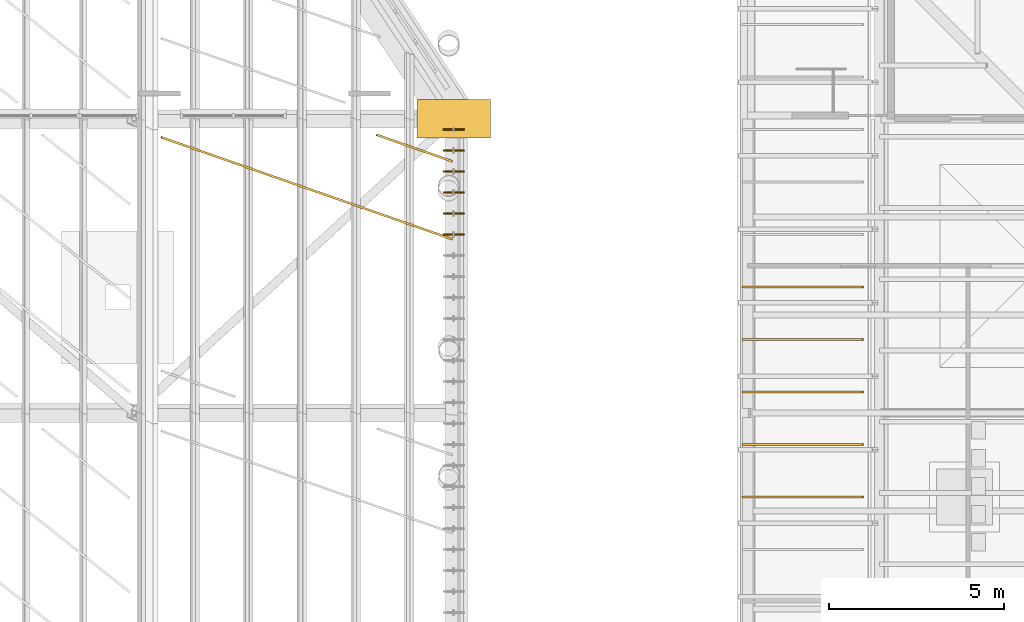
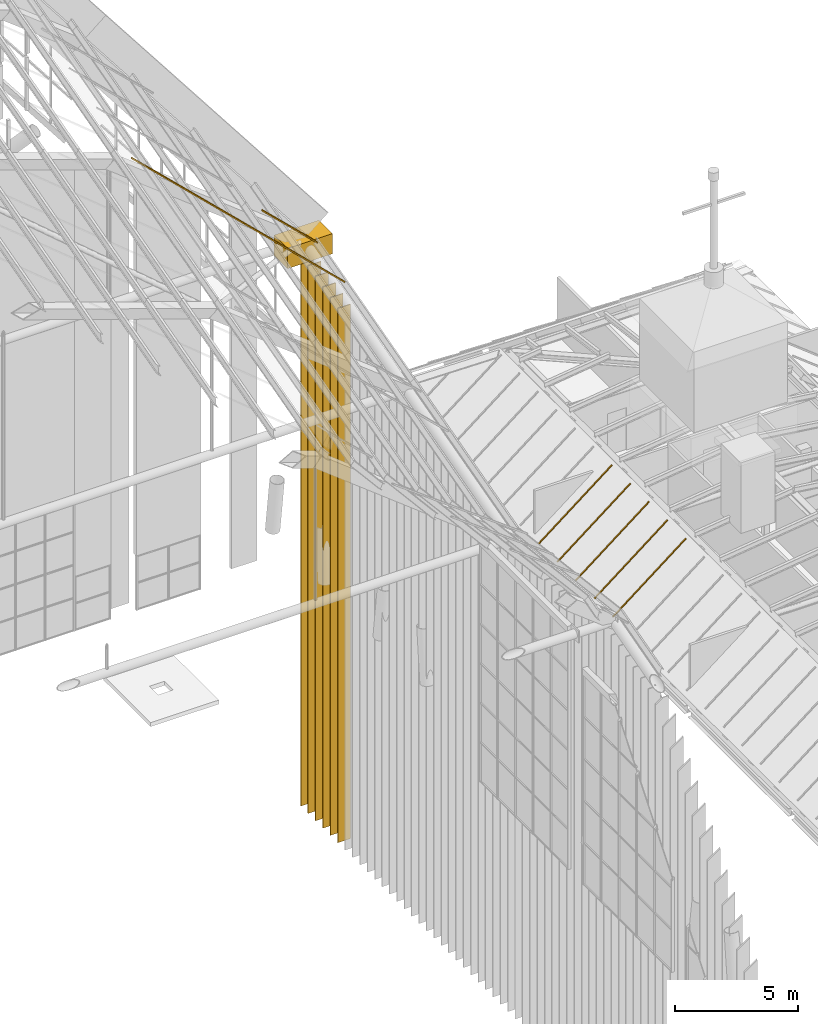
# One storey, part 117 of 126: 8 coverings, 6 shading devices.
"""IFC4 building model written with IfcOpenShell, lengths in metres."""

from ifc_helpers import new_model, si_unit, direction, frame, origin, origin_2d, place, context, subcontext, project, spatial, polyline, rectangle, outline, extrude, material, layer, layer_set, material_profile, profile_set, type_object, element, save


model = new_model("IFC4")

# Units and contexts
model_context = context("Model", 3, precision=1e-05, world=origin(), true_north=direction((0.0, 1.0)))
body_context = subcontext(model_context, "Body", "Model", "MODEL_VIEW")
ifc_project = project(units=[si_unit("LENGTHUNIT", "METRE"), si_unit("AREAUNIT", "SQUARE_METRE"), si_unit("VOLUMEUNIT", "CUBIC_METRE"), si_unit("PLANEANGLEUNIT", "RADIAN"), si_unit("MASSUNIT", "GRAM", prefix="KILO")], contexts=[model_context])

# Site, building, storey
site_placement = place(None, origin())
site = spatial("IfcSite", under=ifc_project, at=site_placement, CompositionType="ELEMENT")
building_placement = place(site_placement, origin())
building = spatial("IfcBuilding", under=site, at=building_placement, Name="Sava Quay Ferry Terminal", CompositionType="ELEMENT")
storey_placement = place(building_placement, frame((0.0, 0.0, 15.0)))
storey = spatial("IfcBuildingStorey", under=building, at=storey_placement, Name="L03", CompositionType="ELEMENT", Elevation=15.0)

# Coverings
ifc_material_1 = material(Name="Zinc standing seam sheet")
ifc_layer_1 = layer(ifc_material_1, 0.02001953125)
ifc_layer_set_1 = layer_set([ifc_layer_1], Name="Zinc standing seam sheet")
covering_type_1 = type_object("IfcCoveringType", Name="Prow corner node cover", PredefinedType="CLADDING", material=ifc_layer_set_1)
covering_1_placement = place(storey_placement, frame((0.0, 0.0, 14.925048828125)))
element("IfcCovering", 1, at=covering_1_placement, inside=storey, type_object=covering_type_1, Name="Departure hall prow corner node cover R", PredefinedType="CLADDING", context=body_context, shape_type="SweptSolid", body=[
    extrude(outline(polyline([(82.949951171875, 100.25), (85.050048828125, 100.25), (85.050048828125, 101.35009765625), (82.949951171875, 101.35009765625), (82.949951171875, 100.25)])), origin(), (0.0, 0.0, 1.0), 1.0),
])
ifc_material_2 = material(Name="Zinc standing seam")
ifc_layer_2 = layer(ifc_material_2, 0.0400390625)
ifc_layer_set_2 = layer_set([ifc_layer_2], Name="Zinc standing seam")
covering_type_2 = type_object("IfcCoveringType", Name="Roof seam rib 60", PredefinedType="ROOFING", material=ifc_layer_set_2)
for number, where, z_axis, x_axis, name in (
    (2, (92.246337890625, 90.030029296875, 0.635986328125), (-0.6177895076, 0.0, 0.786343515456), (0.786343515456, 0.0, 0.6177895076), "Roof seam rib"),
    (3, (92.246337890625, 91.530029296875, 0.635986328125), (-0.6177895076, 0.0, 0.786343515456), (0.786343515456, 0.0, 0.6177895076), "Roof seam rib"),
    (4, (92.246337890625, 93.030029296875, 0.635986328125), (-0.6177895076, 0.0, 0.786343515456), (0.786343515456, 0.0, 0.6177895076), "Roof seam rib"),
    (5, (92.246337890625, 94.530029296875, 0.635986328125), (-0.6177895076, 0.0, 0.786343515456), (0.786343515456, 0.0, 0.6177895076), "Roof seam rib"),
    (6, (92.246337890625, 96.030029296875, 0.635986328125), (-0.6177895076, 0.0, 0.786343515456), (0.786343515456, 0.0, 0.6177895076), "Roof seam rib"),
):
    element("IfcCovering", number, at=place(storey_placement, frame(where, z_axis=z_axis, x_axis=x_axis)), inside=storey, type_object=covering_type_2, Name=name, PredefinedType="ROOFING", context=body_context, shape_type="SweptSolid", body=[
        extrude(outline(polyline([(0.0, 0.0), (4.374293420136924, 0.0), (4.374293420136924, -0.06005859375), (0.0, -0.06005859375), (0.0, 0.0)])), origin(), (0.0, 0.0, -1.0), 0.0400390625),
    ])
covering_2_placement = place(storey_placement, frame((83.95947265625, 99.5576171875, 16.290283203125), z_axis=(0.601898840235, -0.210599594208, 0.77030227641), x_axis=(-0.727022837736, 0.254565125142, 0.637678908599)))
element("IfcCovering", 7, at=covering_2_placement, inside=storey, type_object=covering_type_2, Name="Roof seam rib", PredefinedType="ROOFING", context=body_context, shape_type="SweptSolid", body=[
    extrude(outline(polyline([(0.0, 0.0), (2.9625260109394516, -6.559423143537302e-18), (2.962567578121157, -0.059993533701826925), (-2.058250704945093e-05, -0.05976310266119257), (0.0, 0.0)])), origin(), (0.0, 0.0, -1.0), 0.0400390625),
])
covering_3_placement = place(storey_placement, frame((83.95947265625, 97.33251953125, 15.681640625), z_axis=(0.602034262068, -0.21019299667, 0.770307504472), x_axis=(-0.727028642756, 0.254564722559, 0.637672450903)))
element("IfcCovering", 8, at=covering_3_placement, inside=storey, type_object=covering_type_2, Name="Roof seam rib", PredefinedType="ROOFING", context=body_context, shape_type="SweptSolid", body=[
    extrude(outline(polyline([(0.0, 0.0), (11.426137042904575, -1.1796119636642288e-16), (11.426178472487209, -0.05999353930509222), (4.14295826339766e-05, -0.059993539305092235), (0.0, 0.0)])), origin(), (0.0, 0.0, -1.0), 0.0400390625),
])

# Shading devices
ifc_material_3 = material(Name="Aluminium bronze anodised", Category="aluminium")
ifc_material_profile = material_profile(ifc_material_3, rectangle(XDim=0.0400390625, YDim=0.60009765625, at=origin_2d()), Name="Vertical brise-soleil blade 40x600")
ifc_profile_set = profile_set([ifc_material_profile], Name="Aluminium bronze anodised")
shading_device_type = type_object("IfcShadingDeviceType", Name="Vertical brise-soleil blade 40x600", PredefinedType="USERDEFINED", material=ifc_profile_set)
shading_device_1_placement = place(storey_placement, frame((84.0, 97.5, -12.10009765625), z_axis=(0.0, 0.0, 1.0), x_axis=(0.0, 1.0, 0.0)))
element("IfcShadingDevice", 9, at=shading_device_1_placement, inside=storey, type_object=shading_device_type, Name="Brise-soleil blade D-E 79", ObjectType="BRISE-SOLEIL BLADE", PredefinedType="USERDEFINED", context=body_context, shape_type="SweptSolid", body=[
    extrude(rectangle(XDim=0.0400390625, YDim=0.60009765625, at=origin_2d()), origin(), (0.0, 0.0, 1.0), 26.473876953125),
])
shading_device_2_placement = place(storey_placement, frame((84.0, 98.10009765625, -12.10009765625), z_axis=(0.0, 0.0, 1.0), x_axis=(0.0, 1.0, 0.0)))
element("IfcShadingDevice", 10, at=shading_device_2_placement, inside=storey, type_object=shading_device_type, Name="Brise-soleil blade D-E 80", ObjectType="BRISE-SOLEIL BLADE", PredefinedType="USERDEFINED", context=body_context, shape_type="SweptSolid", body=[
    extrude(rectangle(XDim=0.0400390625, YDim=0.60009765625, at=origin_2d()), origin(), (0.0, 0.0, 1.0), 26.637939453125),
])
shading_device_3_placement = place(storey_placement, frame((84.0, 98.699951171875, -12.10009765625), z_axis=(0.0, 0.0, 1.0), x_axis=(0.0, 1.0, 0.0)))
element("IfcShadingDevice", 11, at=shading_device_3_placement, inside=storey, type_object=shading_device_type, Name="Brise-soleil blade D-E 81", ObjectType="BRISE-SOLEIL BLADE", PredefinedType="USERDEFINED", context=body_context, shape_type="SweptSolid", body=[
    extrude(rectangle(XDim=0.0400390625, YDim=0.60009765625, at=origin_2d()), origin(), (0.0, 0.0, 1.0), 26.802001953125),
])
shading_device_4_placement = place(storey_placement, frame((84.0, 99.300048828125, -12.10009765625), z_axis=(0.0, 0.0, 1.0), x_axis=(0.0, 1.0, 0.0)))
element("IfcShadingDevice", 12, at=shading_device_4_placement, inside=storey, type_object=shading_device_type, Name="Brise-soleil blade D-E 82", ObjectType="BRISE-SOLEIL BLADE", PredefinedType="USERDEFINED", context=body_context, shape_type="SweptSolid", body=[
    extrude(rectangle(XDim=0.0400390625, YDim=0.60009765625, at=origin_2d()), origin(), (0.0, 0.0, 1.0), 26.96630859375),
])
shading_device_5_placement = place(storey_placement, frame((84.0, 99.89990234375, -12.10009765625), z_axis=(0.0, 0.0, 1.0), x_axis=(0.0, 1.0, 0.0)))
element("IfcShadingDevice", 13, at=shading_device_5_placement, inside=storey, type_object=shading_device_type, Name="Brise-soleil blade D-E 83", ObjectType="BRISE-SOLEIL BLADE", PredefinedType="USERDEFINED", context=body_context, shape_type="SweptSolid", body=[
    extrude(rectangle(XDim=0.0400390625, YDim=0.60009765625, at=origin_2d()), origin(), (0.0, 0.0, 1.0), 27.13037109375),
])
shading_device_6_placement = place(storey_placement, frame((84.0, 100.5, -12.10009765625), z_axis=(0.0, 0.0, 1.0), x_axis=(0.0, 1.0, 0.0)))
element("IfcShadingDevice", 14, at=shading_device_6_placement, inside=storey, type_object=shading_device_type, Name="Brise-soleil blade D-E 84", ObjectType="BRISE-SOLEIL BLADE", PredefinedType="USERDEFINED", context=body_context, shape_type="SweptSolid", body=[
    extrude(rectangle(XDim=0.0400390625, YDim=0.60009765625, at=origin_2d()), origin(), (0.0, 0.0, 1.0), 27.29443359375),
])

save(model, "model.ifc")
